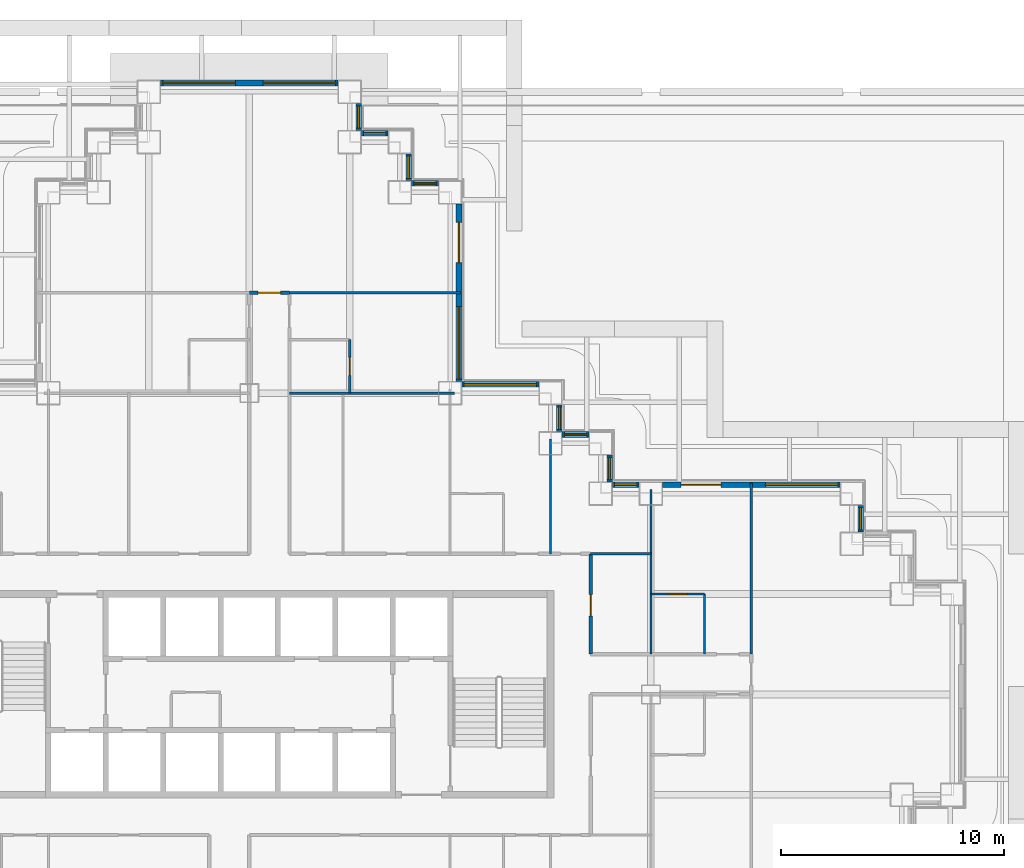
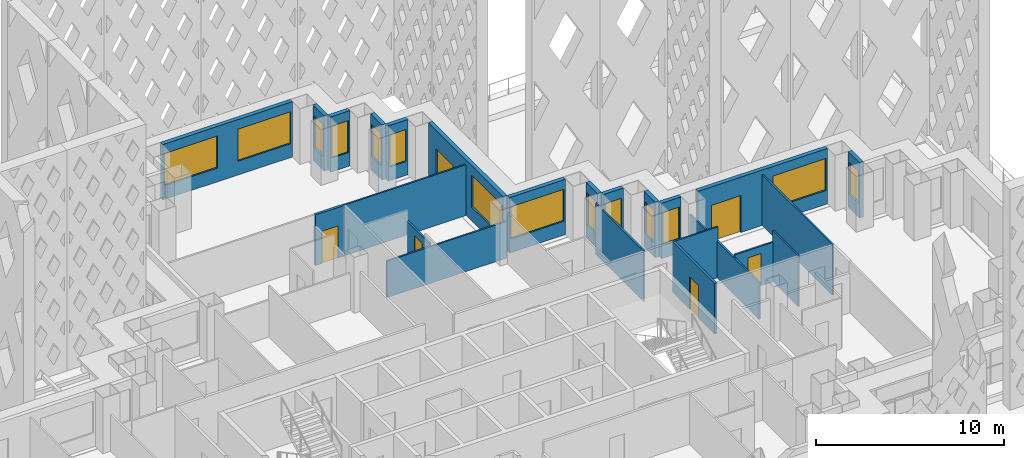
# One storey, part 9 of 26: 24 walls, 14 windows, 6 doors, 20 openings.
"""IFC4 building model written with IfcOpenShell, lengths in metres."""

from ifc_helpers import new_model, si_unit, direction, frame, frame_2d, origin, place, context, subcontext, project, spatial, rectangle, extrude, material, layer, layer_set, type_object, element, fill, save


model = new_model("IFC4")

# Units and contexts
model_context = context("Model", 3, precision=1e-05, world=origin(), true_north=direction((0.0, 1.0)))
body_context = subcontext(model_context, "Body", "Model", "MODEL_VIEW")
ifc_project = project(units=[si_unit("LENGTHUNIT", "METRE"), si_unit("AREAUNIT", "SQUARE_METRE"), si_unit("VOLUMEUNIT", "CUBIC_METRE"), si_unit("PLANEANGLEUNIT", "RADIAN"), si_unit("MASSUNIT", "GRAM", prefix="KILO")], contexts=[model_context])

# Site, building, storey
site_placement = place(None, origin())
site = spatial("IfcSite", under=ifc_project, at=site_placement, CompositionType="ELEMENT")
building_placement = place(site_placement, origin())
building = spatial("IfcBuilding", under=site, at=building_placement, Name="Caravel Reach Hotel and Residences", CompositionType="ELEMENT")
storey_placement = place(building_placement, frame((0.0, 0.0, 33.60009765625)))
storey = spatial("IfcBuildingStorey", under=building, at=storey_placement, Name="L06", CompositionType="ELEMENT", Elevation=33.60009765625)

# Wall, opening, door
ifc_material_1 = material(Name="Gypsum board on steel stud", Category="steel")
ifc_layer_1 = layer(ifc_material_1, 0.10009765625)
ifc_layer_set_1 = layer_set([ifc_layer_1], Name="Bathroom pod wall 100 mm")
wall_type_1 = type_object("IfcWallType", Name="Bathroom pod wall 100 mm", PredefinedType="PARTITIONING", material=ifc_layer_set_1)
wall_1_placement = place(storey_placement, frame((49.5, 31.5, 0.0), z_axis=(0.0, 0.0, 1.0), x_axis=(1.0, 0.0, 0.0)))
wall_1 = element("IfcWall", 1, at=wall_1_placement, inside=storey, type_object=wall_type_1, Name="L06 wall w089", PredefinedType="PARTITIONING", context=body_context, shape_type="SweptSolid", body=[
    extrude(rectangle(XDim=2.39990234375, YDim=0.10009765625, at=frame_2d((1.199951171875, 0.0))), origin(), (0.0, 0.0, 1.0), 2.579833984375),
])
opening_1_placement = place(wall_1_placement, frame((0.800048828125, 0.0, 0.0)))
opening_1 = element("IfcOpeningElement", 2, at=opening_1_placement, cuts=wall_1, Name="Opening D06-024", PredefinedType="OPENING", context=body_context, shape_type="SweptSolid", body=[
    extrude(rectangle(XDim=0.800048828125, YDim=2.10009765625, at=frame_2d((0.39990234375, 1.050048828125))), frame((0.0, 0.06005859375, 0.0), z_axis=(0.0, -1.0, 0.0), x_axis=(1.0, 0.0, 0.0)), (0.0, 0.0, 1.0), 0.1201171875),
])
ifc_material_2 = material(Name="Timber and steel door leaf", Category="steel")
door_type_1 = type_object("IfcDoorType", Name="Bathroom door 800 x 2100", OperationType="SINGLE_SWING_LEFT", PredefinedType="DOOR", material=ifc_material_2)
door_1_placement = place(opening_1_placement, origin())
door_1 = element("IfcDoor", 3, at=door_1_placement, inside=storey, type_object=door_type_1, Name="door D06-024", OperationType="SINGLE_SWING_RIGHT", OverallHeight=2.10009765625, OverallWidth=0.800048828125, PredefinedType="DOOR", context=body_context, shape_type="SweptSolid", body=[
    extrude(rectangle(XDim=0.800048828125, YDim=2.10009765625, at=frame_2d((0.39990234375, 1.050048828125))), frame((0.0, 0.02490234375, 0.0), z_axis=(0.0, -1.0, 0.0), x_axis=(1.0, 0.0, 0.0)), (0.0, 0.0, 1.0), 0.050048828125),
])
fill(opening_1, door_1)

wall_2_placement = place(storey_placement, frame((36.0, 40.5, 0.0), z_axis=(0.0, 0.0, 1.0), x_axis=(0.0, 1.0, 0.0)))
wall_2 = element("IfcWall", 4, at=wall_2_placement, inside=storey, type_object=wall_type_1, Name="L06 wall w106", PredefinedType="PARTITIONING", context=body_context, shape_type="SweptSolid", body=[
    extrude(rectangle(XDim=2.39990234375, YDim=0.10009765625, at=frame_2d((1.199951171875, 0.0))), origin(), (0.0, 0.0, 1.0), 2.579833984375),
])
opening_2_placement = place(wall_2_placement, frame((0.800048828125, 0.0, 0.0)))
opening_2 = element("IfcOpeningElement", 5, at=opening_2_placement, cuts=wall_2, Name="Opening D06-028", PredefinedType="OPENING", context=body_context, shape_type="SweptSolid", body=[
    extrude(rectangle(XDim=0.800048828125, YDim=2.10009765625, at=frame_2d((0.39990234375, 1.050048828125))), frame((0.0, 0.06005859375, 0.0), z_axis=(0.0, -1.0, 0.0), x_axis=(1.0, 0.0, 0.0)), (0.0, 0.0, 1.0), 0.1201171875),
])
door_2_placement = place(opening_2_placement, origin())
door_2 = element("IfcDoor", 6, at=door_2_placement, inside=storey, type_object=door_type_1, Name="door D06-028", OperationType="SINGLE_SWING_RIGHT", OverallHeight=2.10009765625, OverallWidth=0.800048828125, PredefinedType="DOOR", context=body_context, shape_type="SweptSolid", body=[
    extrude(rectangle(XDim=0.800048828125, YDim=2.10009765625, at=frame_2d((0.39990234375, 1.050048828125))), frame((0.0, 0.02490234375, 0.0), z_axis=(0.0, -1.0, 0.0), x_axis=(1.0, 0.0, 0.0)), (0.0, 0.0, 1.0), 0.050048828125),
])
fill(opening_2, door_2)

# Wall
wall_3_placement = place(storey_placement, frame((51.89990234375, 28.800048828125, 0.0), z_axis=(0.0, 0.0, 1.0), x_axis=(0.0, 1.0, 0.0)))
element("IfcWall", 7, at=wall_3_placement, inside=storey, type_object=wall_type_1, Name="L06 wall w109", PredefinedType="PARTITIONING", context=body_context, shape_type="SweptSolid", body=[
    extrude(rectangle(XDim=2.699951171875, YDim=0.10009765625, at=frame_2d((1.35009765625, 0.0))), origin(), (0.0, 0.0, 1.0), 3.2998046875),
])

# Wall, opening, door
ifc_material_3 = material(Name="Gypsum board on steel stud, fire-rated", Category="steel")
ifc_layer_2 = layer(ifc_material_3, 0.14990234375)
ifc_layer_set_2 = layer_set([ifc_layer_2], Name="Corridor wall 150 mm EI 60")
wall_type_2 = type_object("IfcWallType", Name="Corridor wall 150 mm EI 60", PredefinedType="PARTITIONING", material=ifc_layer_set_2)
wall_4_placement = place(storey_placement, frame((31.5, 45.0, 0.0), z_axis=(0.0, 0.0, 1.0), x_axis=(1.0, 0.0, 0.0)))
wall_4 = element("IfcWall", 8, at=wall_4_placement, inside=storey, type_object=wall_type_2, Name="L06 wall w025", PredefinedType="PARTITIONING", context=body_context, shape_type="SweptSolid", body=[
    extrude(rectangle(XDim=1.800048828125, YDim=0.14990234375, at=frame_2d((0.89990234375, 0.0))), origin(), (0.0, 0.0, 1.0), 3.2998046875),
])
opening_3_placement = place(wall_4_placement, frame((0.39990234375, 0.0, 0.0)))
opening_3 = element("IfcOpeningElement", 9, at=opening_3_placement, cuts=wall_4, Name="Opening D06-040", PredefinedType="OPENING", context=body_context, shape_type="SweptSolid", body=[
    extrude(rectangle(XDim=1.0, YDim=2.10009765625, at=frame_2d((0.5, 1.050048828125))), frame((0.0, 0.0849609375, 0.0), z_axis=(0.0, -1.0, 0.0), x_axis=(1.0, 0.0, 0.0)), (0.0, 0.0, 1.0), 0.169921875),
])
ifc_material_4 = material(Name="Steel fire door leaf", Category="steel")
door_type_2 = type_object("IfcDoorType", Name="Guest room door 1000 x 2100 EI 30", OperationType="SINGLE_SWING_LEFT", PredefinedType="DOOR", material=ifc_material_4)
door_3_placement = place(opening_3_placement, origin())
door_3 = element("IfcDoor", 10, at=door_3_placement, inside=storey, type_object=door_type_2, Name="door D06-040", OperationType="SINGLE_SWING_LEFT", OverallHeight=2.10009765625, OverallWidth=1.0, PredefinedType="DOOR", context=body_context, shape_type="SweptSolid", body=[
    extrude(rectangle(XDim=1.0, YDim=2.10009765625, at=frame_2d((0.5, 1.050048828125))), frame((0.0, 0.02490234375, 0.0), z_axis=(0.0, -1.0, 0.0), x_axis=(1.0, 0.0, 0.0)), (0.0, 0.0, 1.0), 0.050048828125),
])
fill(opening_3, door_3)

wall_5_placement = place(storey_placement, frame((46.800048828125, 28.800048828125, 0.0), z_axis=(0.0, 0.0, 1.0), x_axis=(0.0, 1.0, 0.0)))
wall_5 = element("IfcWall", 11, at=wall_5_placement, inside=storey, type_object=wall_type_2, Name="L06 wall w039", PredefinedType="PARTITIONING", context=body_context, shape_type="SweptSolid", body=[
    extrude(rectangle(XDim=4.5, YDim=0.14990234375, at=frame_2d((2.25, 0.0))), origin(), (0.0, 0.0, 1.0), 3.2998046875),
])
opening_4_placement = place(wall_5_placement, frame((1.72509765625, 0.0, 0.0)))
opening_4 = element("IfcOpeningElement", 12, at=opening_4_placement, cuts=wall_5, Name="Opening D06-064", PredefinedType="OPENING", context=body_context, shape_type="SweptSolid", body=[
    extrude(rectangle(XDim=0.949951171875, YDim=2.10009765625, at=frame_2d((0.47509765625, 1.050048828125))), frame((0.0, 0.0849609375, 0.0), z_axis=(0.0, -1.0, 0.0), x_axis=(1.0, 0.0, 0.0)), (0.0, 0.0, 1.0), 0.169921875),
])
ifc_material_5 = material(Name="Timber and steel door leaf", Category="steel")
door_type_3 = type_object("IfcDoorType", Name="Accessible WC door 950 x 2100", OperationType="SINGLE_SWING_LEFT", PredefinedType="DOOR", material=ifc_material_5)
door_4_placement = place(opening_4_placement, origin())
door_4 = element("IfcDoor", 13, at=door_4_placement, inside=storey, type_object=door_type_3, Name="door D06-064", OperationType="SINGLE_SWING_RIGHT", OverallHeight=2.10009765625, OverallWidth=0.949951171875, PredefinedType="DOOR", context=body_context, shape_type="SweptSolid", body=[
    extrude(rectangle(XDim=0.949951171875, YDim=2.10009765625, at=frame_2d((0.47509765625, 1.050048828125))), frame((0.0, 0.02490234375, 0.0), z_axis=(0.0, -1.0, 0.0), x_axis=(1.0, 0.0, 0.0)), (0.0, 0.0, 1.0), 0.050048828125),
])
fill(opening_4, door_4)

# Wall, opening, window
ifc_material_6 = material(Name="Insulated rainscreen wall, aluminium cladding", Category="aluminium")
ifc_layer_3 = layer(ifc_material_6, 0.25)
ifc_layer_set_3 = layer_set([ifc_layer_3], Name="EW1 Tower rainscreen wall")
wall_type_3 = type_object("IfcWallType", Name="EW1 Tower rainscreen wall", PredefinedType="SOLIDWALL", material=ifc_layer_set_3)
wall_6_placement = place(storey_placement, frame((58.89990234375, 34.27490234375, 0.0), z_axis=(0.0, 0.0, 1.0), x_axis=(0.0, 1.0, 0.0)))
wall_6 = element("IfcWall", 14, at=wall_6_placement, inside=storey, type_object=wall_type_3, Name="External wall L06 E24.1", PredefinedType="SOLIDWALL", context=body_context, shape_type="SweptSolid", body=[
    extrude(rectangle(XDim=1.2001953125, YDim=0.25, at=frame_2d((0.60009765625, 0.0))), origin(), (0.0, 0.0, 1.0), 3.599853515625),
])
opening_5_placement = place(wall_6_placement, frame((0.10009765625, 0.0, 0.89990234375)))
opening_5 = element("IfcOpeningElement", 15, at=opening_5_placement, cuts=wall_6, Name="Opening WN1", PredefinedType="OPENING", context=body_context, shape_type="SweptSolid", body=[
    extrude(rectangle(XDim=1.0, YDim=2.080078125, at=frame_2d((0.5, 1.0400390625))), frame((0.0, 0.135009765625, 0.0), z_axis=(0.0, -1.0, 0.0), x_axis=(1.0, 0.0, 0.0)), (0.0, 0.0, 1.0), 0.27001953125),
])
ifc_material_7 = material(Name="Dark low-e glazing in black aluminium frame", Category="aluminium")
window_type_1 = type_object("IfcWindowType", Name="Hotel suite corner window 1000 x 2080", PartitioningType="SINGLE_PANEL", PredefinedType="WINDOW", material=ifc_material_7)
window_1_placement = place(opening_5_placement, origin())
window_1 = element("IfcWindow", 16, at=window_1_placement, inside=storey, type_object=window_type_1, Name="Window L06 E24.1.1", OverallHeight=2.080078125, OverallWidth=1.0, PartitioningType="SINGLE_PANEL", PredefinedType="WINDOW", context=body_context, shape_type="SweptSolid", body=[
    extrude(rectangle(XDim=1.0, YDim=2.080078125, at=frame_2d((0.5, 1.0400390625))), frame((0.0, 0.030029296875, 0.0), z_axis=(0.0, -1.0, 0.0), x_axis=(1.0, 0.0, 0.0)), (0.0, 0.0, 1.0), 0.06005859375),
])
fill(opening_5, window_1)

# Wall, openings, window, door
wall_7_placement = place(storey_placement, frame((57.97509765625, 36.39990234375, 0.0), z_axis=(0.0, 0.0, 1.0), x_axis=(-1.0, 0.0, 0.0)))
wall_7 = element("IfcWall", 17, at=wall_7_placement, inside=storey, type_object=wall_type_3, Name="External wall L06 N25.1", PredefinedType="SOLIDWALL", context=body_context, shape_type="SweptSolid", body=[
    extrude(rectangle(XDim=7.9501953125, YDim=0.25, at=frame_2d((3.97509765625, 0.0))), origin(), (0.0, 0.0, 1.0), 3.599853515625),
])
opening_6_placement = place(wall_7_placement, frame((0.10009765625, 0.0, 0.89990234375)))
opening_6 = element("IfcOpeningElement", 18, at=opening_6_placement, cuts=wall_7, Name="Opening WN2", PredefinedType="OPENING", context=body_context, shape_type="SweptSolid", body=[
    extrude(rectangle(XDim=3.25, YDim=2.080078125, at=frame_2d((1.625, 1.0400390625))), frame((0.0, 0.135009765625, 0.0), z_axis=(0.0, -1.0, 0.0), x_axis=(1.0, 0.0, 0.0)), (0.0, 0.0, 1.0), 0.27001953125),
])
opening_7_placement = place(wall_7_placement, frame((5.324951171875, 0.0, 0.0)))
opening_7 = element("IfcOpeningElement", 19, at=opening_7_placement, cuts=wall_7, Name="Opening D06-804", PredefinedType="OPENING", context=body_context, shape_type="SweptSolid", body=[
    extrude(rectangle(XDim=1.800048828125, YDim=2.39990234375, at=frame_2d((0.89990234375, 1.199951171875))), frame((0.0, 0.135009765625, 0.0), z_axis=(0.0, -1.0, 0.0), x_axis=(1.0, 0.0, 0.0)), (0.0, 0.0, 1.0), 0.27001953125),
])
ifc_material_8 = material(Name="Dark low-e glazing in black aluminium frame", Category="aluminium")
window_type_2 = type_object("IfcWindowType", Name="Hotel guest room window 3250 x 2080", PartitioningType="SINGLE_PANEL", PredefinedType="WINDOW", material=ifc_material_8)
window_2_placement = place(opening_6_placement, origin())
window_2 = element("IfcWindow", 20, at=window_2_placement, inside=storey, type_object=window_type_2, Name="Window L06 N25.1.1", OverallHeight=2.080078125, OverallWidth=3.25, PartitioningType="SINGLE_PANEL", PredefinedType="WINDOW", context=body_context, shape_type="SweptSolid", body=[
    extrude(rectangle(XDim=3.25, YDim=2.080078125, at=frame_2d((1.625, 1.0400390625))), frame((0.0, 0.030029296875, 0.0), z_axis=(0.0, -1.0, 0.0), x_axis=(1.0, 0.0, 0.0)), (0.0, 0.0, 1.0), 0.06005859375),
])
fill(opening_6, window_2)
ifc_material_9 = material(Name="Dark glazed door in black aluminium frame", Category="aluminium")
door_type_4 = type_object("IfcDoorType", Name="Terrace door 1800 x 2400", OperationType="DOUBLE_DOOR_SINGLE_SWING", PredefinedType="DOOR", material=ifc_material_9)
door_5_placement = place(opening_7_placement, origin())
door_5 = element("IfcDoor", 21, at=door_5_placement, inside=storey, type_object=door_type_4, Name="Door D06-804", OperationType="DOUBLE_DOOR_SINGLE_SWING", OverallHeight=2.39990234375, OverallWidth=1.800048828125, PredefinedType="DOOR", context=body_context, shape_type="SweptSolid", body=[
    extrude(rectangle(XDim=1.800048828125, YDim=2.39990234375, at=frame_2d((0.89990234375, 1.199951171875))), frame((0.0, 0.02490234375, 0.0), z_axis=(0.0, -1.0, 0.0), x_axis=(1.0, 0.0, 0.0)), (0.0, 0.0, 1.0), 0.050048828125),
])
fill(opening_7, door_5)

# Wall, opening, window
wall_8_placement = place(storey_placement, frame((48.97509765625, 36.39990234375, 0.0), z_axis=(0.0, 0.0, 1.0), x_axis=(-1.0, 0.0, 0.0)))
wall_8 = element("IfcWall", 22, at=wall_8_placement, inside=storey, type_object=wall_type_3, Name="External wall L06 N25.2", PredefinedType="SOLIDWALL", context=body_context, shape_type="SweptSolid", body=[
    extrude(rectangle(XDim=1.2001953125, YDim=0.25, at=frame_2d((0.60009765625, 0.0))), origin(), (0.0, 0.0, 1.0), 3.599853515625),
])
opening_8_placement = place(wall_8_placement, frame((0.10009765625, 0.0, 0.89990234375)))
opening_8 = element("IfcOpeningElement", 23, at=opening_8_placement, cuts=wall_8, Name="Opening WN1", PredefinedType="OPENING", context=body_context, shape_type="SweptSolid", body=[
    extrude(rectangle(XDim=1.0, YDim=2.080078125, at=frame_2d((0.5, 1.0400390625))), frame((0.0, 0.135009765625, 0.0), z_axis=(0.0, -1.0, 0.0), x_axis=(1.0, 0.0, 0.0)), (0.0, 0.0, 1.0), 0.27001953125),
])
window_3_placement = place(opening_8_placement, origin())
window_3 = element("IfcWindow", 24, at=window_3_placement, inside=storey, type_object=window_type_1, Name="Window L06 N25.2.1", OverallHeight=2.080078125, OverallWidth=1.0, PartitioningType="SINGLE_PANEL", PredefinedType="WINDOW", context=body_context, shape_type="SweptSolid", body=[
    extrude(rectangle(XDim=1.0, YDim=2.080078125, at=frame_2d((0.5, 1.0400390625))), frame((0.0, 0.030029296875, 0.0), z_axis=(0.0, -1.0, 0.0), x_axis=(1.0, 0.0, 0.0)), (0.0, 0.0, 1.0), 0.06005859375),
])
fill(opening_8, window_3)

wall_9_placement = place(storey_placement, frame((47.64990234375, 36.52490234375, 0.0), z_axis=(0.0, 0.0, 1.0), x_axis=(0.0, 1.0, 0.0)))
wall_9 = element("IfcWall", 25, at=wall_9_placement, inside=storey, type_object=wall_type_3, Name="External wall L06 E26.1", PredefinedType="SOLIDWALL", context=body_context, shape_type="SweptSolid", body=[
    extrude(rectangle(XDim=1.2001953125, YDim=0.25, at=frame_2d((0.60009765625, 0.0))), origin(), (0.0, 0.0, 1.0), 3.599853515625),
])
opening_9_placement = place(wall_9_placement, frame((0.10009765625, 0.0, 0.89990234375)))
opening_9 = element("IfcOpeningElement", 26, at=opening_9_placement, cuts=wall_9, Name="Opening WN1", PredefinedType="OPENING", context=body_context, shape_type="SweptSolid", body=[
    extrude(rectangle(XDim=1.0, YDim=2.080078125, at=frame_2d((0.5, 1.0400390625))), frame((0.0, 0.135009765625, 0.0), z_axis=(0.0, -1.0, 0.0), x_axis=(1.0, 0.0, 0.0)), (0.0, 0.0, 1.0), 0.27001953125),
])
window_4_placement = place(opening_9_placement, origin())
window_4 = element("IfcWindow", 27, at=window_4_placement, inside=storey, type_object=window_type_1, Name="Window L06 E26.1.1", OverallHeight=2.080078125, OverallWidth=1.0, PartitioningType="SINGLE_PANEL", PredefinedType="WINDOW", context=body_context, shape_type="SweptSolid", body=[
    extrude(rectangle(XDim=1.0, YDim=2.080078125, at=frame_2d((0.5, 1.0400390625))), frame((0.0, 0.030029296875, 0.0), z_axis=(0.0, -1.0, 0.0), x_axis=(1.0, 0.0, 0.0)), (0.0, 0.0, 1.0), 0.06005859375),
])
fill(opening_9, window_4)

wall_10_placement = place(storey_placement, frame((46.72509765625, 38.64990234375, 0.0), z_axis=(0.0, 0.0, 1.0), x_axis=(-1.0, 0.0, 0.0)))
wall_10 = element("IfcWall", 28, at=wall_10_placement, inside=storey, type_object=wall_type_3, Name="External wall L06 N27.1", PredefinedType="SOLIDWALL", context=body_context, shape_type="SweptSolid", body=[
    extrude(rectangle(XDim=1.2001953125, YDim=0.25, at=frame_2d((0.60009765625, 0.0))), origin(), (0.0, 0.0, 1.0), 3.599853515625),
])
opening_10_placement = place(wall_10_placement, frame((0.10009765625, 0.0, 0.89990234375)))
opening_10 = element("IfcOpeningElement", 29, at=opening_10_placement, cuts=wall_10, Name="Opening WN1", PredefinedType="OPENING", context=body_context, shape_type="SweptSolid", body=[
    extrude(rectangle(XDim=1.0, YDim=2.080078125, at=frame_2d((0.5, 1.0400390625))), frame((0.0, 0.135009765625, 0.0), z_axis=(0.0, -1.0, 0.0), x_axis=(1.0, 0.0, 0.0)), (0.0, 0.0, 1.0), 0.27001953125),
])
window_5_placement = place(opening_10_placement, origin())
window_5 = element("IfcWindow", 30, at=window_5_placement, inside=storey, type_object=window_type_1, Name="Window L06 N27.1.1", OverallHeight=2.080078125, OverallWidth=1.0, PartitioningType="SINGLE_PANEL", PredefinedType="WINDOW", context=body_context, shape_type="SweptSolid", body=[
    extrude(rectangle(XDim=1.0, YDim=2.080078125, at=frame_2d((0.5, 1.0400390625))), frame((0.0, 0.030029296875, 0.0), z_axis=(0.0, -1.0, 0.0), x_axis=(1.0, 0.0, 0.0)), (0.0, 0.0, 1.0), 0.06005859375),
])
fill(opening_10, window_5)

wall_11_placement = place(storey_placement, frame((45.39990234375, 38.77490234375, 0.0), z_axis=(0.0, 0.0, 1.0), x_axis=(0.0, 1.0, 0.0)))
wall_11 = element("IfcWall", 31, at=wall_11_placement, inside=storey, type_object=wall_type_3, Name="External wall L06 E28.1", PredefinedType="SOLIDWALL", context=body_context, shape_type="SweptSolid", body=[
    extrude(rectangle(XDim=1.2001953125, YDim=0.25, at=frame_2d((0.60009765625, 0.0))), origin(), (0.0, 0.0, 1.0), 3.599853515625),
])
opening_11_placement = place(wall_11_placement, frame((0.10009765625, 0.0, 0.89990234375)))
opening_11 = element("IfcOpeningElement", 32, at=opening_11_placement, cuts=wall_11, Name="Opening WN1", PredefinedType="OPENING", context=body_context, shape_type="SweptSolid", body=[
    extrude(rectangle(XDim=1.0, YDim=2.080078125, at=frame_2d((0.5, 1.0400390625))), frame((0.0, 0.135009765625, 0.0), z_axis=(0.0, -1.0, 0.0), x_axis=(1.0, 0.0, 0.0)), (0.0, 0.0, 1.0), 0.27001953125),
])
window_6_placement = place(opening_11_placement, origin())
window_6 = element("IfcWindow", 33, at=window_6_placement, inside=storey, type_object=window_type_1, Name="Window L06 E28.1.1", OverallHeight=2.080078125, OverallWidth=1.0, PartitioningType="SINGLE_PANEL", PredefinedType="WINDOW", context=body_context, shape_type="SweptSolid", body=[
    extrude(rectangle(XDim=1.0, YDim=2.080078125, at=frame_2d((0.5, 1.0400390625))), frame((0.0, 0.030029296875, 0.0), z_axis=(0.0, -1.0, 0.0), x_axis=(1.0, 0.0, 0.0)), (0.0, 0.0, 1.0), 0.06005859375),
])
fill(opening_11, window_6)

wall_12_placement = place(storey_placement, frame((44.47509765625, 40.89990234375, 0.0), z_axis=(0.0, 0.0, 1.0), x_axis=(-1.0, 0.0, 0.0)))
wall_12 = element("IfcWall", 34, at=wall_12_placement, inside=storey, type_object=wall_type_3, Name="External wall L06 N29.1", PredefinedType="SOLIDWALL", context=body_context, shape_type="SweptSolid", body=[
    extrude(rectangle(XDim=3.4501953125, YDim=0.25, at=frame_2d((1.72509765625, 0.0))), origin(), (0.0, 0.0, 1.0), 3.599853515625),
])
opening_12_placement = place(wall_12_placement, frame((0.10009765625, 0.0, 0.89990234375)))
opening_12 = element("IfcOpeningElement", 35, at=opening_12_placement, cuts=wall_12, Name="Opening WN2", PredefinedType="OPENING", context=body_context, shape_type="SweptSolid", body=[
    extrude(rectangle(XDim=3.25, YDim=2.080078125, at=frame_2d((1.625, 1.0400390625))), frame((0.0, 0.135009765625, 0.0), z_axis=(0.0, -1.0, 0.0), x_axis=(1.0, 0.0, 0.0)), (0.0, 0.0, 1.0), 0.27001953125),
])
window_7_placement = place(opening_12_placement, origin())
window_7 = element("IfcWindow", 36, at=window_7_placement, inside=storey, type_object=window_type_2, Name="Window L06 N29.1.1", OverallHeight=2.080078125, OverallWidth=3.25, PartitioningType="SINGLE_PANEL", PredefinedType="WINDOW", context=body_context, shape_type="SweptSolid", body=[
    extrude(rectangle(XDim=3.25, YDim=2.080078125, at=frame_2d((1.625, 1.0400390625))), frame((0.0, 0.030029296875, 0.0), z_axis=(0.0, -1.0, 0.0), x_axis=(1.0, 0.0, 0.0)), (0.0, 0.0, 1.0), 0.06005859375),
])
fill(opening_12, window_7)

# Wall, openings, window, door
wall_13_placement = place(storey_placement, frame((40.89990234375, 41.02490234375, 0.0), z_axis=(0.0, 0.0, 1.0), x_axis=(0.0, 1.0, 0.0)))
wall_13 = element("IfcWall", 37, at=wall_13_placement, inside=storey, type_object=wall_type_3, Name="External wall L06 E30.1", PredefinedType="SOLIDWALL", context=body_context, shape_type="SweptSolid", body=[
    extrude(rectangle(XDim=7.9501953125, YDim=0.25, at=frame_2d((3.97509765625, 0.0))), origin(), (0.0, 0.0, 1.0), 3.599853515625),
])
opening_13_placement = place(wall_13_placement, frame((0.10009765625, 0.0, 0.89990234375)))
opening_13 = element("IfcOpeningElement", 38, at=opening_13_placement, cuts=wall_13, Name="Opening WN2", PredefinedType="OPENING", context=body_context, shape_type="SweptSolid", body=[
    extrude(rectangle(XDim=3.25, YDim=2.080078125, at=frame_2d((1.625, 1.0400390625))), frame((0.0, 0.135009765625, 0.0), z_axis=(0.0, -1.0, 0.0), x_axis=(1.0, 0.0, 0.0)), (0.0, 0.0, 1.0), 0.27001953125),
])
opening_14_placement = place(wall_13_placement, frame((5.324951171875, 0.0, 0.0)))
opening_14 = element("IfcOpeningElement", 39, at=opening_14_placement, cuts=wall_13, Name="Opening D06-805", PredefinedType="OPENING", context=body_context, shape_type="SweptSolid", body=[
    extrude(rectangle(XDim=1.800048828125, YDim=2.39990234375, at=frame_2d((0.89990234375, 1.199951171875))), frame((0.0, 0.135009765625, 0.0), z_axis=(0.0, -1.0, 0.0), x_axis=(1.0, 0.0, 0.0)), (0.0, 0.0, 1.0), 0.27001953125),
])
window_8_placement = place(opening_13_placement, origin())
window_8 = element("IfcWindow", 40, at=window_8_placement, inside=storey, type_object=window_type_2, Name="Window L06 E30.1.1", OverallHeight=2.080078125, OverallWidth=3.25, PartitioningType="SINGLE_PANEL", PredefinedType="WINDOW", context=body_context, shape_type="SweptSolid", body=[
    extrude(rectangle(XDim=3.25, YDim=2.080078125, at=frame_2d((1.625, 1.0400390625))), frame((0.0, 0.030029296875, 0.0), z_axis=(0.0, -1.0, 0.0), x_axis=(1.0, 0.0, 0.0)), (0.0, 0.0, 1.0), 0.06005859375),
])
fill(opening_13, window_8)
door_6_placement = place(opening_14_placement, origin())
door_6 = element("IfcDoor", 41, at=door_6_placement, inside=storey, type_object=door_type_4, Name="Door D06-805", OperationType="DOUBLE_DOOR_SINGLE_SWING", OverallHeight=2.39990234375, OverallWidth=1.800048828125, PredefinedType="DOOR", context=body_context, shape_type="SweptSolid", body=[
    extrude(rectangle(XDim=1.800048828125, YDim=2.39990234375, at=frame_2d((0.89990234375, 1.199951171875))), frame((0.0, 0.02490234375, 0.0), z_axis=(0.0, -1.0, 0.0), x_axis=(1.0, 0.0, 0.0)), (0.0, 0.0, 1.0), 0.050048828125),
])
fill(opening_14, door_6)

# Wall, opening, window
wall_14_placement = place(storey_placement, frame((39.97509765625, 49.89990234375, 0.0), z_axis=(0.0, 0.0, 1.0), x_axis=(-1.0, 0.0, 0.0)))
wall_14 = element("IfcWall", 42, at=wall_14_placement, inside=storey, type_object=wall_type_3, Name="External wall L06 N31.1", PredefinedType="SOLIDWALL", context=body_context, shape_type="SweptSolid", body=[
    extrude(rectangle(XDim=1.2001953125, YDim=0.25, at=frame_2d((0.60009765625, 0.0))), origin(), (0.0, 0.0, 1.0), 3.599853515625),
])
opening_15_placement = place(wall_14_placement, frame((0.10009765625, 0.0, 0.89990234375)))
opening_15 = element("IfcOpeningElement", 43, at=opening_15_placement, cuts=wall_14, Name="Opening WN1", PredefinedType="OPENING", context=body_context, shape_type="SweptSolid", body=[
    extrude(rectangle(XDim=1.0, YDim=2.080078125, at=frame_2d((0.5, 1.0400390625))), frame((0.0, 0.135009765625, 0.0), z_axis=(0.0, -1.0, 0.0), x_axis=(1.0, 0.0, 0.0)), (0.0, 0.0, 1.0), 0.27001953125),
])
window_9_placement = place(opening_15_placement, origin())
window_9 = element("IfcWindow", 44, at=window_9_placement, inside=storey, type_object=window_type_1, Name="Window L06 N31.1.1", OverallHeight=2.080078125, OverallWidth=1.0, PartitioningType="SINGLE_PANEL", PredefinedType="WINDOW", context=body_context, shape_type="SweptSolid", body=[
    extrude(rectangle(XDim=1.0, YDim=2.080078125, at=frame_2d((0.5, 1.0400390625))), frame((0.0, 0.030029296875, 0.0), z_axis=(0.0, -1.0, 0.0), x_axis=(1.0, 0.0, 0.0)), (0.0, 0.0, 1.0), 0.06005859375),
])
fill(opening_15, window_9)

wall_15_placement = place(storey_placement, frame((38.64990234375, 50.02490234375, 0.0), z_axis=(0.0, 0.0, 1.0), x_axis=(0.0, 1.0, 0.0)))
wall_15 = element("IfcWall", 45, at=wall_15_placement, inside=storey, type_object=wall_type_3, Name="External wall L06 E32.1", PredefinedType="SOLIDWALL", context=body_context, shape_type="SweptSolid", body=[
    extrude(rectangle(XDim=1.2001953125, YDim=0.25, at=frame_2d((0.60009765625, 0.0))), origin(), (0.0, 0.0, 1.0), 3.599853515625),
])
opening_16_placement = place(wall_15_placement, frame((0.10009765625, 0.0, 0.89990234375)))
opening_16 = element("IfcOpeningElement", 46, at=opening_16_placement, cuts=wall_15, Name="Opening WN1", PredefinedType="OPENING", context=body_context, shape_type="SweptSolid", body=[
    extrude(rectangle(XDim=1.0, YDim=2.080078125, at=frame_2d((0.5, 1.0400390625))), frame((0.0, 0.135009765625, 0.0), z_axis=(0.0, -1.0, 0.0), x_axis=(1.0, 0.0, 0.0)), (0.0, 0.0, 1.0), 0.27001953125),
])
window_10_placement = place(opening_16_placement, origin())
window_10 = element("IfcWindow", 47, at=window_10_placement, inside=storey, type_object=window_type_1, Name="Window L06 E32.1.1", OverallHeight=2.080078125, OverallWidth=1.0, PartitioningType="SINGLE_PANEL", PredefinedType="WINDOW", context=body_context, shape_type="SweptSolid", body=[
    extrude(rectangle(XDim=1.0, YDim=2.080078125, at=frame_2d((0.5, 1.0400390625))), frame((0.0, 0.030029296875, 0.0), z_axis=(0.0, -1.0, 0.0), x_axis=(1.0, 0.0, 0.0)), (0.0, 0.0, 1.0), 0.06005859375),
])
fill(opening_16, window_10)

wall_16_placement = place(storey_placement, frame((37.72509765625, 52.14990234375, 0.0), z_axis=(0.0, 0.0, 1.0), x_axis=(-1.0, 0.0, 0.0)))
wall_16 = element("IfcWall", 48, at=wall_16_placement, inside=storey, type_object=wall_type_3, Name="External wall L06 N33.1", PredefinedType="SOLIDWALL", context=body_context, shape_type="SweptSolid", body=[
    extrude(rectangle(XDim=1.2001953125, YDim=0.25, at=frame_2d((0.60009765625, 0.0))), origin(), (0.0, 0.0, 1.0), 3.599853515625),
])
opening_17_placement = place(wall_16_placement, frame((0.10009765625, 0.0, 0.89990234375)))
opening_17 = element("IfcOpeningElement", 49, at=opening_17_placement, cuts=wall_16, Name="Opening WN1", PredefinedType="OPENING", context=body_context, shape_type="SweptSolid", body=[
    extrude(rectangle(XDim=1.0, YDim=2.080078125, at=frame_2d((0.5, 1.0400390625))), frame((0.0, 0.135009765625, 0.0), z_axis=(0.0, -1.0, 0.0), x_axis=(1.0, 0.0, 0.0)), (0.0, 0.0, 1.0), 0.27001953125),
])
window_11_placement = place(opening_17_placement, origin())
window_11 = element("IfcWindow", 50, at=window_11_placement, inside=storey, type_object=window_type_1, Name="Window L06 N33.1.1", OverallHeight=2.080078125, OverallWidth=1.0, PartitioningType="SINGLE_PANEL", PredefinedType="WINDOW", context=body_context, shape_type="SweptSolid", body=[
    extrude(rectangle(XDim=1.0, YDim=2.080078125, at=frame_2d((0.5, 1.0400390625))), frame((0.0, 0.030029296875, 0.0), z_axis=(0.0, -1.0, 0.0), x_axis=(1.0, 0.0, 0.0)), (0.0, 0.0, 1.0), 0.06005859375),
])
fill(opening_17, window_11)

wall_17_placement = place(storey_placement, frame((36.39990234375, 52.27490234375, 0.0), z_axis=(0.0, 0.0, 1.0), x_axis=(0.0, 1.0, 0.0)))
wall_17 = element("IfcWall", 51, at=wall_17_placement, inside=storey, type_object=wall_type_3, Name="External wall L06 E34.1", PredefinedType="SOLIDWALL", context=body_context, shape_type="SweptSolid", body=[
    extrude(rectangle(XDim=1.2001953125, YDim=0.25, at=frame_2d((0.60009765625, 0.0))), origin(), (0.0, 0.0, 1.0), 3.599853515625),
])
opening_18_placement = place(wall_17_placement, frame((0.10009765625, 0.0, 0.89990234375)))
opening_18 = element("IfcOpeningElement", 52, at=opening_18_placement, cuts=wall_17, Name="Opening WN1", PredefinedType="OPENING", context=body_context, shape_type="SweptSolid", body=[
    extrude(rectangle(XDim=1.0, YDim=2.080078125, at=frame_2d((0.5, 1.0400390625))), frame((0.0, 0.135009765625, 0.0), z_axis=(0.0, -1.0, 0.0), x_axis=(1.0, 0.0, 0.0)), (0.0, 0.0, 1.0), 0.27001953125),
])
window_12_placement = place(opening_18_placement, origin())
window_12 = element("IfcWindow", 53, at=window_12_placement, inside=storey, type_object=window_type_1, Name="Window L06 E34.1.1", OverallHeight=2.080078125, OverallWidth=1.0, PartitioningType="SINGLE_PANEL", PredefinedType="WINDOW", context=body_context, shape_type="SweptSolid", body=[
    extrude(rectangle(XDim=1.0, YDim=2.080078125, at=frame_2d((0.5, 1.0400390625))), frame((0.0, 0.030029296875, 0.0), z_axis=(0.0, -1.0, 0.0), x_axis=(1.0, 0.0, 0.0)), (0.0, 0.0, 1.0), 0.06005859375),
])
fill(opening_18, window_12)

# Wall, openings, windows
wall_18_placement = place(storey_placement, frame((35.47509765625, 54.39990234375, 0.0), z_axis=(0.0, 0.0, 1.0), x_axis=(-1.0, 0.0, 0.0)))
wall_18 = element("IfcWall", 54, at=wall_18_placement, inside=storey, type_object=wall_type_3, Name="External wall L06 N35.1", PredefinedType="SOLIDWALL", context=body_context, shape_type="SweptSolid", body=[
    extrude(rectangle(XDim=7.9501953125, YDim=0.25, at=frame_2d((3.97509765625, 0.0))), origin(), (0.0, 0.0, 1.0), 3.599853515625),
])
opening_19_placement = place(wall_18_placement, frame((0.10009765625, 0.0, 0.89990234375)))
opening_19 = element("IfcOpeningElement", 55, at=opening_19_placement, cuts=wall_18, Name="Opening WN2", PredefinedType="OPENING", context=body_context, shape_type="SweptSolid", body=[
    extrude(rectangle(XDim=3.25, YDim=2.080078125, at=frame_2d((1.625, 1.0400390625))), frame((0.0, 0.135009765625, 0.0), z_axis=(0.0, -1.0, 0.0), x_axis=(1.0, 0.0, 0.0)), (0.0, 0.0, 1.0), 0.27001953125),
])
opening_20_placement = place(wall_18_placement, frame((4.60009765625, 0.0, 0.89990234375)))
opening_20 = element("IfcOpeningElement", 56, at=opening_20_placement, cuts=wall_18, Name="Opening WN2", PredefinedType="OPENING", context=body_context, shape_type="SweptSolid", body=[
    extrude(rectangle(XDim=3.25, YDim=2.080078125, at=frame_2d((1.625, 1.0400390625))), frame((0.0, 0.135009765625, 0.0), z_axis=(0.0, -1.0, 0.0), x_axis=(1.0, 0.0, 0.0)), (0.0, 0.0, 1.0), 0.27001953125),
])
window_13_placement = place(opening_19_placement, origin())
window_13 = element("IfcWindow", 57, at=window_13_placement, inside=storey, type_object=window_type_2, Name="Window L06 N35.1.1", OverallHeight=2.080078125, OverallWidth=3.25, PartitioningType="SINGLE_PANEL", PredefinedType="WINDOW", context=body_context, shape_type="SweptSolid", body=[
    extrude(rectangle(XDim=3.25, YDim=2.080078125, at=frame_2d((1.625, 1.0400390625))), frame((0.0, 0.030029296875, 0.0), z_axis=(0.0, -1.0, 0.0), x_axis=(1.0, 0.0, 0.0)), (0.0, 0.0, 1.0), 0.06005859375),
])
fill(opening_19, window_13)
window_14_placement = place(opening_20_placement, origin())
window_14 = element("IfcWindow", 58, at=window_14_placement, inside=storey, type_object=window_type_2, Name="Window L06 N35.1.2", OverallHeight=2.080078125, OverallWidth=3.25, PartitioningType="SINGLE_PANEL", PredefinedType="WINDOW", context=body_context, shape_type="SweptSolid", body=[
    extrude(rectangle(XDim=3.25, YDim=2.080078125, at=frame_2d((1.625, 1.0400390625))), frame((0.0, 0.030029296875, 0.0), z_axis=(0.0, -1.0, 0.0), x_axis=(1.0, 0.0, 0.0)), (0.0, 0.0, 1.0), 0.06005859375),
])
fill(opening_20, window_14)

# Walls
ifc_material_10 = material(Name="Gypsum board on steel stud", Category="steel")
ifc_layer_4 = layer(ifc_material_10, 0.10009765625)
ifc_layer_set_4 = layer_set([ifc_layer_4], Name="Partition 100 mm")
wall_type_4 = type_object("IfcWallType", Name="Partition 100 mm", PredefinedType="PARTITIONING", material=ifc_layer_set_4)
wall_19_placement = place(storey_placement, frame((46.800048828125, 33.300048828125, 0.0), z_axis=(0.0, 0.0, 1.0), x_axis=(1.0, 0.0, 0.0)))
element("IfcWall", 59, at=wall_19_placement, inside=storey, type_object=wall_type_4, Name="L06 wall w046", PredefinedType="PARTITIONING", context=body_context, shape_type="SweptSolid", body=[
    extrude(rectangle(XDim=2.699951171875, YDim=0.10009765625, at=frame_2d((1.35009765625, 0.0))), origin(), (0.0, 0.0, 1.0), 3.2998046875),
])
wall_20_placement = place(storey_placement, frame((33.300048828125, 40.5, 0.0), z_axis=(0.0, 0.0, 1.0), x_axis=(1.0, 0.0, 0.0)))
element("IfcWall", 60, at=wall_20_placement, inside=storey, type_object=wall_type_4, Name="L06 wall w047", PredefinedType="PARTITIONING", context=body_context, shape_type="SweptSolid", body=[
    extrude(rectangle(XDim=7.389892578125, YDim=0.10009765625, at=frame_2d((3.69482421875, 0.0))), origin(), (0.0, 0.0, 1.0), 2.3798828125),
])
wall_21_placement = place(storey_placement, frame((33.300048828125, 45.0, 0.0), z_axis=(0.0, 0.0, 1.0), x_axis=(1.0, 0.0, 0.0)))
element("IfcWall", 61, at=wall_21_placement, inside=storey, type_object=wall_type_4, Name="L06 wall w051", PredefinedType="PARTITIONING", context=body_context, shape_type="SweptSolid", body=[
    extrude(rectangle(XDim=7.6650390625, YDim=0.10009765625, at=frame_2d((3.83251953125, 0.0))), origin(), (0.0, 0.0, 1.0), 3.2998046875),
])
wall_22_placement = place(storey_placement, frame((45.0, 33.300048828125, 0.0), z_axis=(0.0, 0.0, 1.0), x_axis=(0.0, 1.0, 0.0)))
element("IfcWall", 62, at=wall_22_placement, inside=storey, type_object=wall_type_4, Name="L06 wall w063", PredefinedType="PARTITIONING", context=body_context, shape_type="SweptSolid", body=[
    extrude(rectangle(XDim=5.139892578125, YDim=0.10009765625, at=frame_2d((2.56982421875, 0.0))), origin(), (0.0, 0.0, 1.0), 3.2998046875),
])
wall_23_placement = place(storey_placement, frame((49.5, 28.800048828125, 0.0), z_axis=(0.0, 0.0, 1.0), x_axis=(0.0, 1.0, 0.0)))
element("IfcWall", 63, at=wall_23_placement, inside=storey, type_object=wall_type_4, Name="L06 wall w065", PredefinedType="PARTITIONING", context=body_context, shape_type="SweptSolid", body=[
    extrude(rectangle(XDim=7.389892578125, YDim=0.10009765625, at=frame_2d((3.69482421875, 0.0))), origin(), (0.0, 0.0, 1.0), 2.3798828125),
])
wall_24_placement = place(storey_placement, frame((54.0, 28.800048828125, 0.0), z_axis=(0.0, 0.0, 1.0), x_axis=(0.0, 1.0, 0.0)))
element("IfcWall", 64, at=wall_24_placement, inside=storey, type_object=wall_type_4, Name="L06 wall w069", PredefinedType="PARTITIONING", context=body_context, shape_type="SweptSolid", body=[
    extrude(rectangle(XDim=7.6650390625, YDim=0.10009765625, at=frame_2d((3.83251953125, 0.0))), origin(), (0.0, 0.0, 1.0), 3.2998046875),
])

save(model, "model.ifc")
